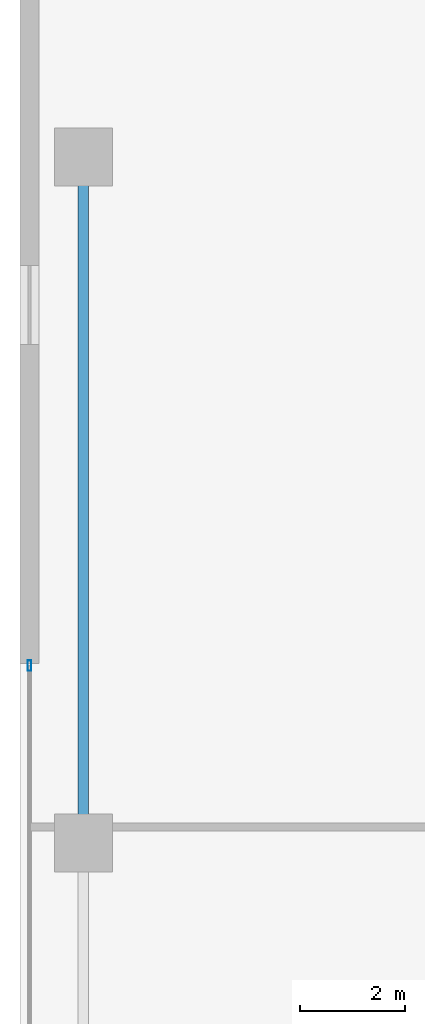
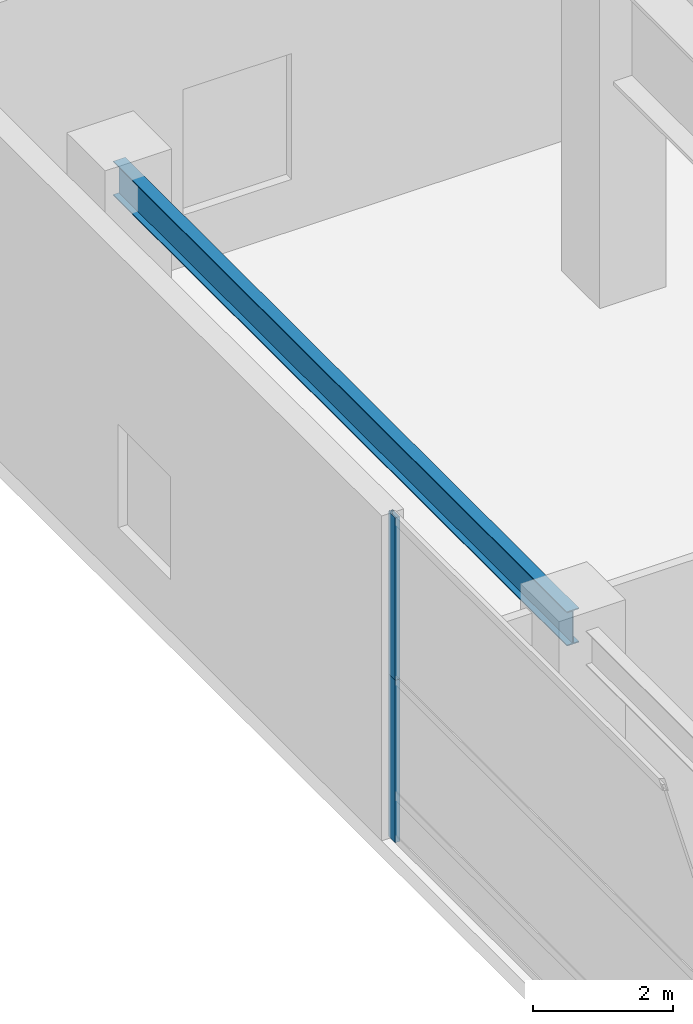
# One storey, part 17 of 39: 2 members, 1 beam, 1 element without a shape of its own.
"""IFC4 building model written with IfcOpenShell, lengths in metres."""

from ifc_helpers import new_model, si_unit, direction, frame, origin, origin_2d, place, context, subcontext, project, spatial, hollow_rectangle, i_section, extrude, source, transform, mapped, material, layer, layer_set, material_profile, profile_set, type_object, element, aggregate, save


model = new_model("IFC4")

# Units and contexts
model_context = context("Model", 3, precision=1e-05, world=origin(), true_north=direction((0.0, 1.0)))
body_context = subcontext(model_context, "Body", "Model", "MODEL_VIEW")
ifc_project = project(units=[si_unit("LENGTHUNIT", "METRE"), si_unit("AREAUNIT", "SQUARE_METRE"), si_unit("VOLUMEUNIT", "CUBIC_METRE"), si_unit("PLANEANGLEUNIT", "RADIAN"), si_unit("MASSUNIT", "GRAM", prefix="KILO"), si_unit("THERMODYNAMICTEMPERATUREUNIT", "KELVIN"), si_unit("POWERUNIT", "WATT")], contexts=[model_context])

# Site, building, storey
site_placement = place(None, origin())
site = spatial("IfcSite", under=ifc_project, at=site_placement, CompositionType="ELEMENT")
building_placement = place(site_placement, origin())
building = spatial("IfcBuilding", under=site, at=building_placement, Name="Yuzanri Waterfront Tower", CompositionType="ELEMENT")
storey_placement = place(building_placement, frame((0.0, 0.0, 19.800048828125)))
storey = spatial("IfcBuildingStorey", under=building, at=storey_placement, Name="L05", CompositionType="ELEMENT", Elevation=19.800048828125)

# Beam
ifc_material_1 = material(Name="Steel Q355B", Category="steel")
ifc_material_profile_1 = material_profile(ifc_material_1, i_section(OverallWidth=0.199951171875, OverallDepth=0.60009765625, WebThickness=0.010986328125, FlangeThickness=0.01708984375, at=origin_2d()), Name="HN 600x200x11x17")
ifc_profile_set_1 = profile_set([ifc_material_profile_1], Name="Steel Q355B")
beam_type = type_object("IfcBeamType", Name="Perimeter Spandrel Q355B HN 600x200", PredefinedType="SPANDREL", material=ifc_profile_set_1)
shared_shape_1 = source(origin(), body_context, "Body", "SweptSolid", [
    extrude(i_section(OverallWidth=0.199951171875, OverallDepth=0.60009765625, WebThickness=0.010986328125, FlangeThickness=0.01708984375, at=origin_2d()), origin(), (0.0, 0.0, 1.0), 13.0),
])
beam_placement = place(storey_placement, frame((3.199951171875, 32.199951171875, 5.3798828125), z_axis=(0.0, 1.0, 0.0), x_axis=(-1.0, 0.0, 0.0)))
element("IfcBeam", 1, at=beam_placement, inside=storey, type_object=beam_type, Name="L05 West Podium Spandrel 3", PredefinedType="SPANDREL", context=body_context, shape_type="MappedRepresentation", body=[
    mapped(shared_shape_1, transform((0.0, 0.0, 0.0), scale=1.0)),
])

# Curtain wall, members
ifc_material_2 = material(Name="Anodized Architectural Bronze", Category="metal")
ifc_layer = layer(ifc_material_2, 0.159912109375)
ifc_layer_set = layer_set([ifc_layer], Name="Anodized Architectural Bronze")
curtain_wall_type = type_object("IfcCurtainWallType", Name="Anodized Bronze Podium Waterfront Double-Height Unitized Curtain Wall 8400", PredefinedType="NOTDEFINED", material=ifc_layer_set)
curtain_wall_placement = place(storey_placement, origin())
curtain_wall = element("IfcCurtainWall", 2, at=curtain_wall_placement, inside=storey, type_object=curtain_wall_type, Name="L05 Curtain Wall CW-L05-W", PredefinedType="NOTDEFINED")
ifc_material_3 = material(Name="Anodized Architectural Bronze", Category="metal")
ifc_material_profile_2 = material_profile(ifc_material_3, hollow_rectangle(XDim=0.074951171875, YDim=0.199951171875, WallThickness=0.00390625, at=origin_2d()), Name="CWM 75x200")
ifc_profile_set_2 = profile_set([ifc_material_profile_2], Name="Anodized Architectural Bronze")
member_type = type_object("IfcMemberType", Name="Anodized Bronze Primary Curtain-Wall Mullion 75x200", PredefinedType="MULLION", material=ifc_profile_set_2)
shared_shape_2 = source(origin(), body_context, "Body", "SweptSolid", [
    extrude(hollow_rectangle(XDim=0.074951171875, YDim=0.199951171875, WallThickness=0.00390625, at=origin_2d()), origin(), (0.0, 0.0, 1.0), 2.837890625),
])
member_1_placement = place(storey_placement, frame((2.179931640625, 35.56005859375, 0.0), z_axis=(0.0, 0.0, 1.0), x_axis=(1.0, 0.0, 0.0)))
member_1 = element("IfcMember", 3, at=member_1_placement, type_object=member_type, Name="CW-L05-W Lower Mullion 02", PredefinedType="MULLION", context=body_context, shape_type="MappedRepresentation", body=[
    mapped(shared_shape_2, transform((0.0, 0.0, 0.0), scale=1.0)),
])
member_2_placement = place(storey_placement, frame((2.179931640625, 35.56005859375, 2.842041015625), z_axis=(0.0, 0.0, 1.0), x_axis=(1.0, 0.0, 0.0)))
member_2 = element("IfcMember", 4, at=member_2_placement, type_object=member_type, Name="CW-L05-W Upper Mullion 02", PredefinedType="MULLION", context=body_context, shape_type="MappedRepresentation", body=[
    mapped(shared_shape_2, transform((0.0, 0.0, 0.0), scale=1.0)),
])
aggregate(curtain_wall, [member_1, member_2])

save(model, "model.ifc")
